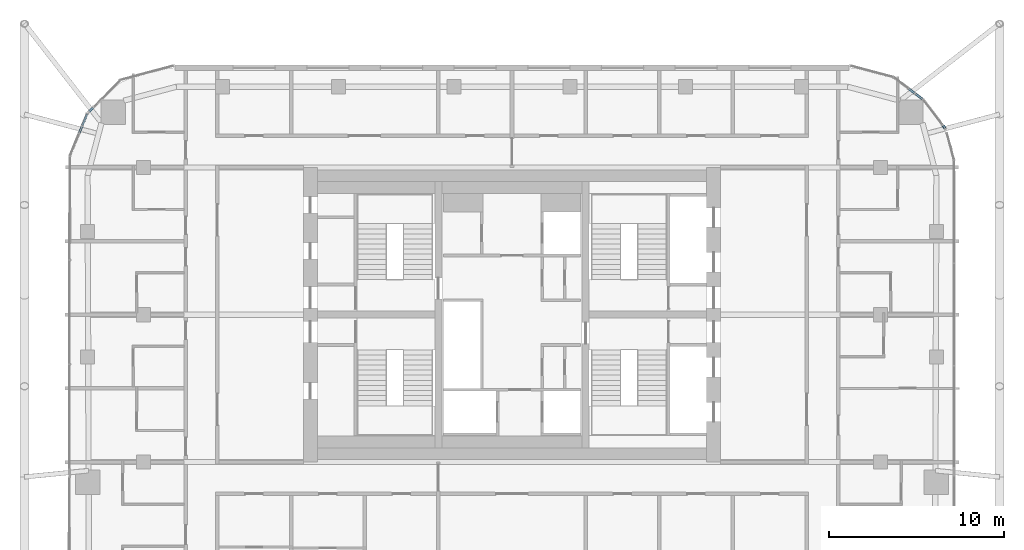
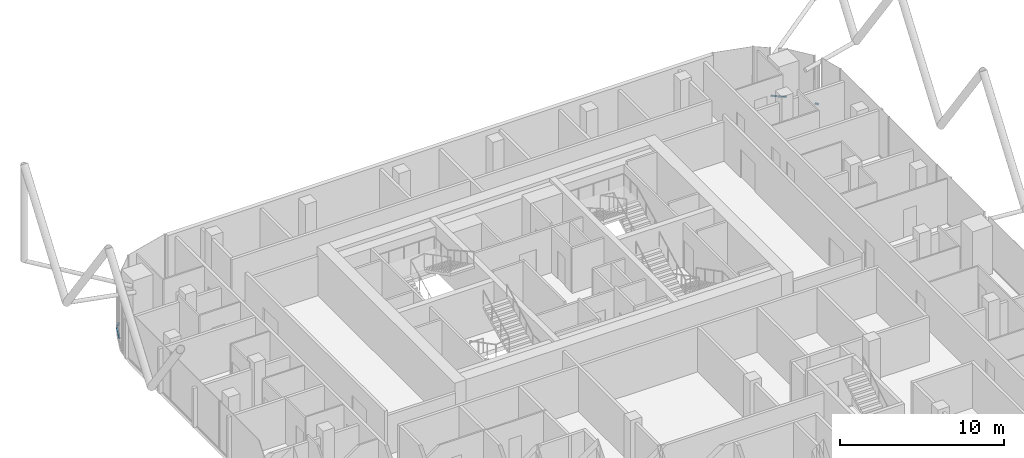
# One storey, part 13 of 31: 6 members, 6 elements without a shape of their own.
"""IFC4 building model written with IfcOpenShell, lengths in metres."""

from ifc_helpers import new_model, si_unit, direction, frame, origin, origin_2d, place, context, subcontext, project, spatial, rectangle, extrude, material, layer, layer_set, material_profile, profile_set, type_object, element, aggregate, save


model = new_model("IFC4")

# Units and contexts
model_context = context("Model", 3, precision=1e-05, world=origin(), true_north=direction((0.0, 1.0)))
body_context = subcontext(model_context, "Body", "Model", "MODEL_VIEW")
ifc_project = project(units=[si_unit("LENGTHUNIT", "METRE"), si_unit("AREAUNIT", "SQUARE_METRE"), si_unit("VOLUMEUNIT", "CUBIC_METRE"), si_unit("PLANEANGLEUNIT", "RADIAN"), si_unit("MASSUNIT", "GRAM", prefix="KILO")], contexts=[model_context])

# Site, building, storey
site_placement = place(None, origin())
site = spatial("IfcSite", under=ifc_project, at=site_placement, CompositionType="ELEMENT")
building_placement = place(site_placement, origin())
building = spatial("IfcBuilding", under=site, at=building_placement, Name="Marenta Gate Hotel Tower", CompositionType="ELEMENT")
storey_placement = place(building_placement, frame((0.0, 0.0, 234.5)))
storey = spatial("IfcBuildingStorey", under=building, at=storey_placement, Name="L55", CompositionType="ELEMENT", Elevation=234.5)

# Curtain wall, member
ifc_material_1 = material(Name="Tinted insulated glass in bronze anodised frame", Category="glass")
ifc_layer = layer(ifc_material_1, 0.1201171875)
ifc_layer_set = layer_set([ifc_layer], Name="Tinted insulated glass in bronze anodised frame")
curtain_wall_type = type_object("IfcCurtainWallType", Name="Tower unitised curtain wall CW1", PredefinedType="NOTDEFINED", material=ifc_layer_set)
curtain_wall_1_placement = place(storey_placement, origin())
curtain_wall_1 = element("IfcCurtainWall", 1, at=curtain_wall_1_placement, inside=storey, type_object=curtain_wall_type, Name="CW1 run G02", PredefinedType="NOTDEFINED")
ifc_material_2 = material(Name="Bronze anodised aluminium", Category="aluminium")
ifc_material_profile = material_profile(ifc_material_2, rectangle(XDim=0.1201171875, YDim=0.06005859375, at=origin_2d()), Name="Transom CW1 60x120 bronze anodised aluminium")
ifc_profile_set = profile_set([ifc_material_profile], Name="Bronze anodised aluminium")
member_type = type_object("IfcMemberType", Name="Transom CW1 60x120 bronze anodised aluminium", PredefinedType="USERDEFINED", material=ifc_profile_set)
member_1_placement = place(storey_placement, frame((-23.884521484375, 20.220458984375, 0.030029296875), z_axis=(-0.707106781187, -0.707106781187, 0.0), x_axis=(0.707106781187, -0.707106781187, 0.0)))
member_1 = element("IfcMember", 2, at=member_1_placement, type_object=member_type, Name="CW1 transom 1.1", ObjectType="TRANSOM", PredefinedType="USERDEFINED", context=body_context, shape_type="SweptSolid", body=[
    extrude(rectangle(XDim=0.1201171875, YDim=0.06005859375, at=origin_2d()), origin(), (0.0, 0.0, 1.0), 0.336669921875),
])
aggregate(curtain_wall_1, [member_1])

curtain_wall_2_placement = place(storey_placement, origin())
curtain_wall_2 = element("IfcCurtainWall", 3, at=curtain_wall_2_placement, inside=storey, type_object=curtain_wall_type, Name="CW1 run G03", PredefinedType="NOTDEFINED")
member_2_placement = place(storey_placement, frame((-24.2265625, 19.845947265625, 0.030029296875), z_axis=(-0.382706726502, -0.92386988342, 0.0), x_axis=(0.92386988342, -0.382706726502, 0.0)))
member_2 = element("IfcMember", 4, at=member_2_placement, type_object=member_type, Name="CW1 transom 1.1", ObjectType="TRANSOM", PredefinedType="USERDEFINED", context=body_context, shape_type="SweptSolid", body=[
    extrude(rectangle(XDim=0.1201171875, YDim=0.06005859375, at=origin_2d()), origin(), (0.0, 0.0, 1.0), 0.708740234375),
])
aggregate(curtain_wall_2, [member_2])

curtain_wall_3_placement = place(storey_placement, origin())
curtain_wall_3 = element("IfcCurtainWall", 5, at=curtain_wall_3_placement, inside=storey, type_object=curtain_wall_type, Name="CW1 run G04", PredefinedType="NOTDEFINED")
member_3_placement = place(storey_placement, frame((-24.520751953125, 19.1357421875, 0.030029296875), z_axis=(-0.382912686497, -0.923784539013, 0.0), x_axis=(0.923784539013, -0.382912686497, 0.0)))
member_3 = element("IfcMember", 6, at=member_3_placement, type_object=member_type, Name="CW1 transom 1.1", ObjectType="TRANSOM", PredefinedType="USERDEFINED", context=body_context, shape_type="SweptSolid", body=[
    extrude(rectangle(XDim=0.1201171875, YDim=0.06005859375, at=origin_2d()), origin(), (0.0, 0.0, 1.0), 0.397216796875),
])
aggregate(curtain_wall_3, [member_3])

curtain_wall_4_placement = place(storey_placement, origin())
curtain_wall_4 = element("IfcCurtainWall", 7, at=curtain_wall_4_placement, inside=storey, type_object=curtain_wall_type, Name="CW1 run G36", PredefinedType="NOTDEFINED")
member_4_placement = place(storey_placement, frame((24.69775390625, 19.030029296875, 0.030029296875), z_axis=(-0.60902605709, 0.793150213885, 0.0), x_axis=(-0.793150213885, -0.60902605709, 0.0)))
member_4 = element("IfcMember", 8, at=member_4_placement, type_object=member_type, Name="CW1 transom 1.1", ObjectType="TRANSOM", PredefinedType="USERDEFINED", context=body_context, shape_type="SweptSolid", body=[
    extrude(rectangle(XDim=0.1201171875, YDim=0.06005859375, at=origin_2d()), origin(), (0.0, 0.0, 1.0), 0.22412109375),
])
aggregate(curtain_wall_4, [member_4])

curtain_wall_5_placement = place(storey_placement, origin())
curtain_wall_5 = element("IfcCurtainWall", 9, at=curtain_wall_5_placement, inside=storey, type_object=curtain_wall_type, Name="CW1 run G38", PredefinedType="NOTDEFINED")
member_5_placement = place(storey_placement, frame((23.405029296875, 20.689208984375, 0.030029296875), z_axis=(-0.793396206785, 0.608705560233, 0.0), x_axis=(-0.608705560233, -0.793396206785, 0.0)))
member_5 = element("IfcMember", 10, at=member_5_placement, type_object=member_type, Name="CW1 transom 1.1", ObjectType="TRANSOM", PredefinedType="USERDEFINED", context=body_context, shape_type="SweptSolid", body=[
    extrude(rectangle(XDim=0.1201171875, YDim=0.06005859375, at=origin_2d()), origin(), (0.0, 0.0, 1.0), 0.5048828125),
])
aggregate(curtain_wall_5, [member_5])

curtain_wall_6_placement = place(storey_placement, origin())
curtain_wall_6 = element("IfcCurtainWall", 11, at=curtain_wall_6_placement, inside=storey, type_object=curtain_wall_type, Name="CW1 run G39", PredefinedType="NOTDEFINED")
member_6_placement = place(storey_placement, frame((22.956787109375, 21.033203125, 0.030029296875), z_axis=(-0.793423480353, 0.608670009796, 0.0), x_axis=(-0.608670009796, -0.793423480353, 0.0)))
member_6 = element("IfcMember", 12, at=member_6_placement, type_object=member_type, Name="CW1 transom 1.1", ObjectType="TRANSOM", PredefinedType="USERDEFINED", context=body_context, shape_type="SweptSolid", body=[
    extrude(rectangle(XDim=0.1201171875, YDim=0.06005859375, at=origin_2d()), origin(), (0.0, 0.0, 1.0), 0.408203125),
])
aggregate(curtain_wall_6, [member_6])

save(model, "model.ifc")
